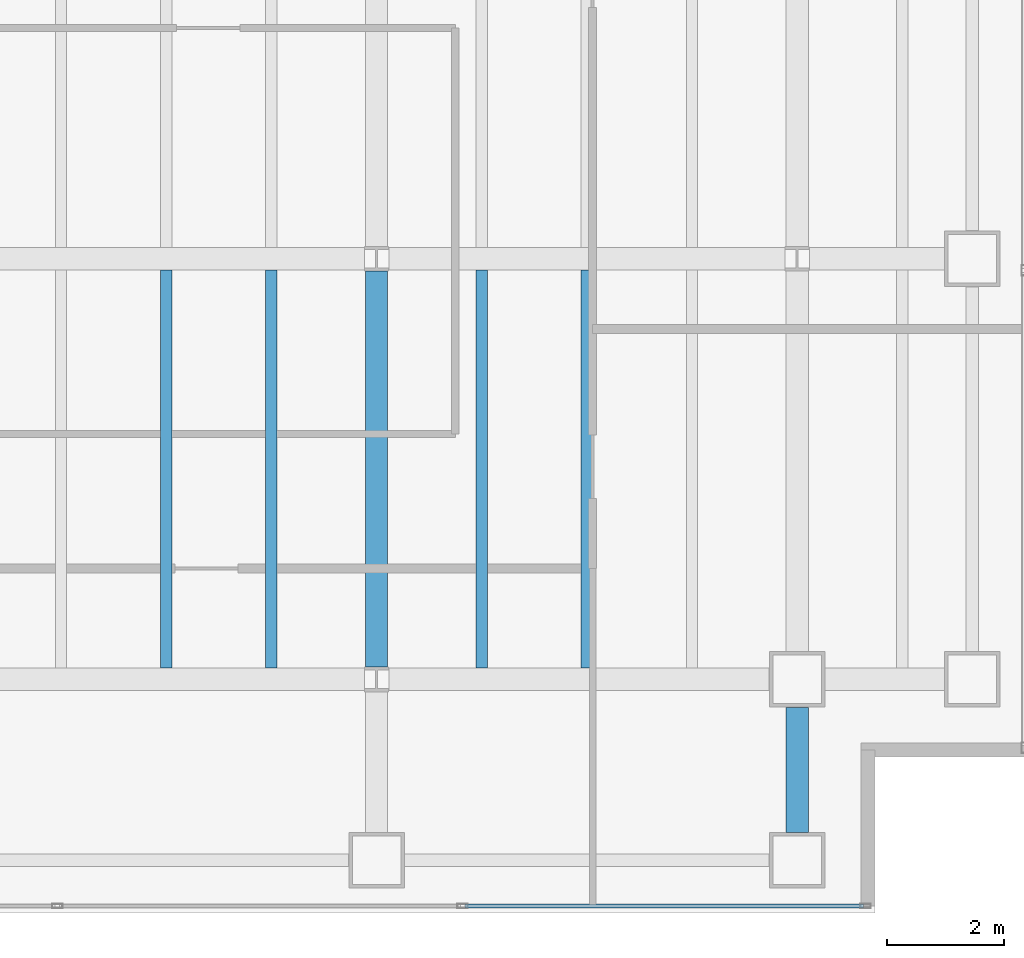
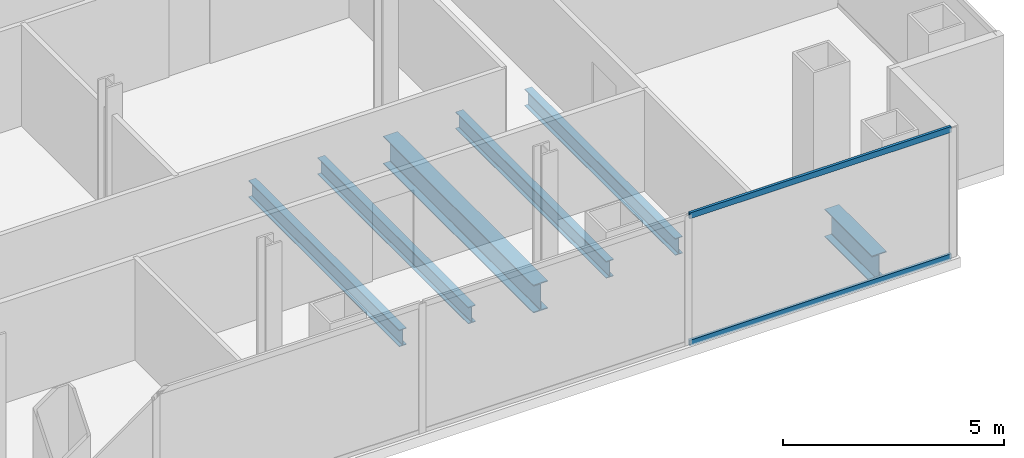
# One storey, part 10 of 23: 6 beams, 2 members, 1 element without a shape of its own.
"""IFC4 building model written with IfcOpenShell, lengths in metres."""

from ifc_helpers import new_model, si_unit, direction, frame, origin, origin_2d, place, context, subcontext, project, spatial, hollow_rectangle, i_section, extrude, material, material_profile, profile_set, type_object, element, aggregate, save


model = new_model("IFC4")

# Units and contexts
model_context = context("Model", 3, precision=1e-05, world=origin(), true_north=direction((0.0, 1.0)))
body_context = subcontext(model_context, "Body", "Model", "MODEL_VIEW")
ifc_project = project(units=[si_unit("LENGTHUNIT", "METRE"), si_unit("AREAUNIT", "SQUARE_METRE"), si_unit("VOLUMEUNIT", "CUBIC_METRE"), si_unit("PLANEANGLEUNIT", "RADIAN"), si_unit("MASSUNIT", "GRAM", prefix="KILO")], contexts=[model_context])

# Site, building, storey
site_placement = place(None, origin())
site = spatial("IfcSite", under=ifc_project, at=site_placement, CompositionType="ELEMENT")
building_placement = place(site_placement, origin())
building = spatial("IfcBuilding", under=site, at=building_placement, Name="Cobrela Telecom Tower", CompositionType="ELEMENT")
storey_placement = place(building_placement, frame((0.0, 0.0, 102.199951171875)))
storey = spatial("IfcBuildingStorey", under=building, at=storey_placement, Name="L25", CompositionType="ELEMENT", Elevation=102.199951171875)

# Beams
ifc_material_1 = material(Name="Steel ASTM A992 Grade 50", Category="steel")
ifc_material_profile_1 = material_profile(ifc_material_1, i_section(OverallWidth=0.381103515625, OverallDepth=0.77197265625, WebThickness=0.0166015625, FlangeThickness=0.027099609375, FilletRadius=0.01904296875, at=origin_2d()), Name="W30X173")
ifc_profile_set_1 = profile_set([ifc_material_profile_1], Name="Steel ASTM A992 Grade 50")
beam_type_1 = type_object("IfcBeamType", Name="BM-GIRD-04", PredefinedType="USERDEFINED", material=ifc_profile_set_1)
beam_1_placement = place(storey_placement, frame((36.0, 7.409423828125, -0.656005859375), z_axis=(0.0, 1.0, 0.0), x_axis=(-1.0, 0.0, 0.0)))
element("IfcBeam", 1, at=beam_1_placement, inside=storey, type_object=beam_type_1, Name="L25 Primary Girder Y50", ObjectType="GIRDER", PredefinedType="USERDEFINED", context=body_context, shape_type="SweptSolid", body=[
    extrude(i_section(OverallWidth=0.381103515625, OverallDepth=0.77197265625, WebThickness=0.0166015625, FlangeThickness=0.027099609375, FilletRadius=0.01904296875, at=origin_2d()), origin(), (0.0, 0.0, 1.0), 6.781005859375),
])
beam_2_placement = place(storey_placement, frame((43.199951171875, 4.580078125, -0.656005859375), z_axis=(0.0, 1.0, 0.0), x_axis=(-1.0, 0.0, 0.0)))
element("IfcBeam", 2, at=beam_2_placement, inside=storey, type_object=beam_type_1, Name="L25 Primary Girder Y52", ObjectType="GIRDER", PredefinedType="USERDEFINED", context=body_context, shape_type="SweptSolid", body=[
    extrude(i_section(OverallWidth=0.381103515625, OverallDepth=0.77197265625, WebThickness=0.0166015625, FlangeThickness=0.027099609375, FilletRadius=0.01904296875, at=origin_2d()), origin(), (0.0, 0.0, 1.0), 2.139892578125),
])
ifc_material_profile_2 = material_profile(ifc_material_1, i_section(OverallWidth=0.193115234375, OverallDepth=0.467041015625, WebThickness=0.011474609375, FlangeThickness=0.01904296875, FilletRadius=0.012939453125, at=origin_2d()), Name="W18X65")
ifc_profile_set_2 = profile_set([ifc_material_profile_2], Name="Steel ASTM A992 Grade 50")
beam_type_2 = type_object("IfcBeamType", Name="BM-JOIST-03", PredefinedType="JOIST", material=ifc_profile_set_2)
for number, where, z_axis, x_axis, name in (
    (3, (32.39990234375, 7.3955078125, -0.50341796875), (0.0, 1.0, 0.0), (-1.0, 0.0, 0.0), "L25 Secondary Composite Floor Beam J29"),
    (4, (34.199951171875, 7.3955078125, -0.50341796875), (0.0, 1.0, 0.0), (-1.0, 0.0, 0.0), "L25 Secondary Composite Floor Beam J31"),
    (5, (37.800048828125, 7.3955078125, -0.50341796875), (0.0, 1.0, 0.0), (-1.0, 0.0, 0.0), "L25 Secondary Composite Floor Beam J33"),
    (6, (39.60009765625, 7.3955078125, -0.50341796875), (0.0, 1.0, 0.0), (-1.0, 0.0, 0.0), "L25 Secondary Composite Floor Beam J35"),
):
    element("IfcBeam", number, at=place(storey_placement, frame(where, z_axis=z_axis, x_axis=x_axis)), inside=storey, type_object=beam_type_2, Name=name, PredefinedType="JOIST", context=body_context, shape_type="SweptSolid", body=[
        extrude(i_section(OverallWidth=0.193115234375, OverallDepth=0.467041015625, WebThickness=0.011474609375, FlangeThickness=0.01904296875, FilletRadius=0.012939453125, at=origin_2d()), origin(), (0.0, 0.0, 1.0), 6.80908203125),
    ])

# Curtain wall, members
ifc_material_2 = material(Name="Anodized Bronze Aluminium 6063-T6", Category="aluminium")
curtain_wall_type = type_object("IfcCurtainWallType", Name="CW-SYS-TEL", PredefinedType="USERDEFINED", material=ifc_material_2)
curtain_wall_placement = place(storey_placement, origin())
curtain_wall = element("IfcCurtainWall", 7, at=curtain_wall_placement, inside=storey, type_object=curtain_wall_type, Name="L25 Unitised Bronze Curtain Wall 17", ObjectType="UNITISED CURTAIN WALL", PredefinedType="USERDEFINED")
ifc_material_profile_3 = material_profile(ifc_material_2, hollow_rectangle(XDim=0.070068359375, YDim=0.159912109375, WallThickness=0.00390625, at=origin_2d()), Name="ALU 70x160x4")
ifc_profile_set_3 = profile_set([ifc_material_profile_3], Name="Anodized Bronze Aluminium 6063-T6")
member_type = type_object("IfcMemberType", Name="CW-SYS-TEL-TRN", PredefinedType="USERDEFINED", material=ifc_profile_set_3)
member_1_placement = place(storey_placement, frame((44.3349609375, 3.320068359375, 0.03515625), z_axis=(-1.0, 0.0, 0.0), x_axis=(0.0, -1.0, 0.0)))
member_1 = element("IfcMember", 8, at=member_1_placement, type_object=member_type, Name="CW-TEL transom 1.1", ObjectType="TRANSOM", PredefinedType="USERDEFINED", context=body_context, shape_type="SweptSolid", body=[
    extrude(hollow_rectangle(XDim=0.070068359375, YDim=0.159912109375, WallThickness=0.00390625, at=origin_2d()), origin(), (0.0, 0.0, 1.0), 6.82421875),
])
member_2_placement = place(storey_placement, frame((44.3349609375, 3.320068359375, 3.545166015625), z_axis=(-1.0, 0.0, 0.0), x_axis=(0.0, -1.0, 0.0)))
member_2 = element("IfcMember", 9, at=member_2_placement, type_object=member_type, Name="CW-TEL transom 1.2", ObjectType="TRANSOM", PredefinedType="USERDEFINED", context=body_context, shape_type="SweptSolid", body=[
    extrude(hollow_rectangle(XDim=0.070068359375, YDim=0.159912109375, WallThickness=0.00390625, at=origin_2d()), origin(), (0.0, 0.0, 1.0), 6.82421875),
])
aggregate(curtain_wall, [member_1, member_2])

save(model, "model.ifc")
